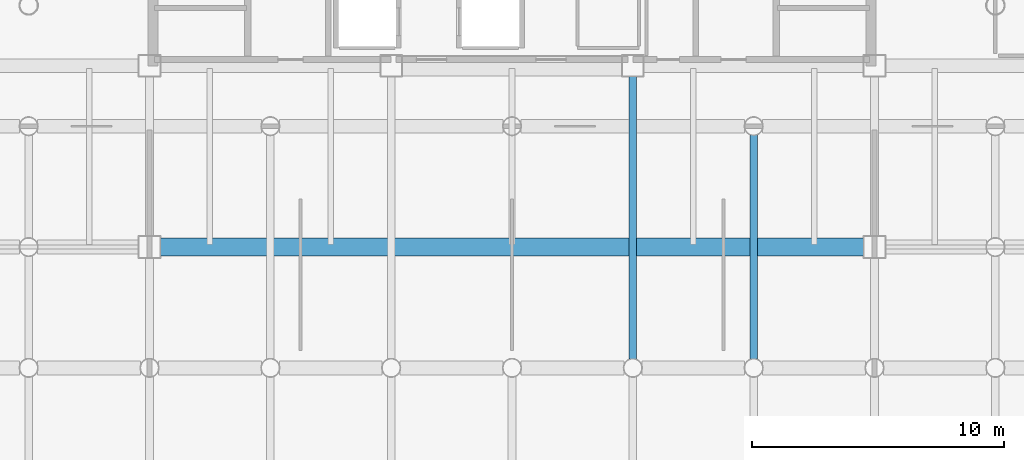
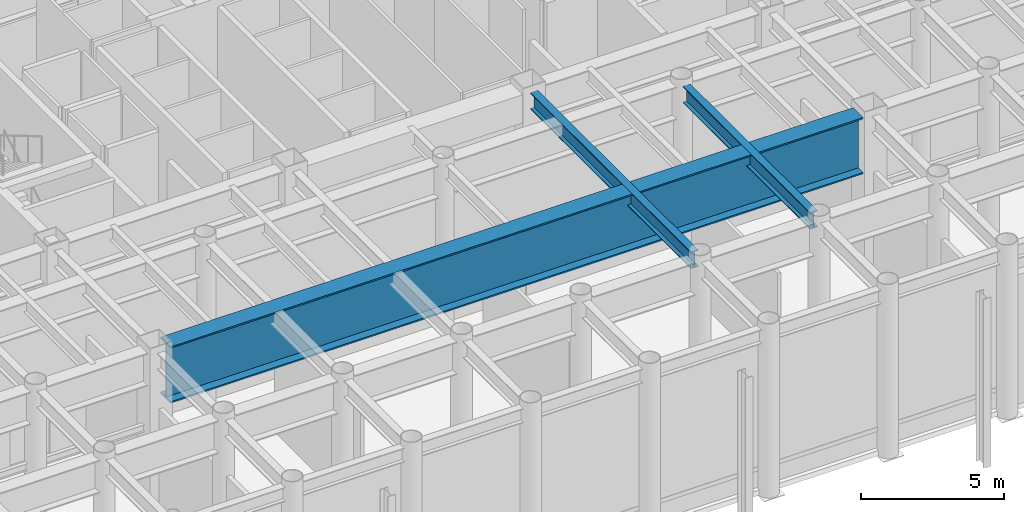
# One storey, part 7 of 23: 3 beams.
"""IFC4 building model written with IfcOpenShell, lengths in metres."""

from ifc_helpers import new_model, si_unit, direction, frame, origin, origin_2d, place, context, subcontext, project, spatial, i_section, extrude, material, material_profile, profile_set, type_object, element, save


model = new_model("IFC4")

# Units and contexts
model_context = context("Model", 3, precision=1e-05, world=origin(), true_north=direction((0.0, 1.0)))
body_context = subcontext(model_context, "Body", "Model", "MODEL_VIEW")
ifc_project = project(units=[si_unit("LENGTHUNIT", "METRE"), si_unit("AREAUNIT", "SQUARE_METRE"), si_unit("VOLUMEUNIT", "CUBIC_METRE"), si_unit("PLANEANGLEUNIT", "RADIAN"), si_unit("MASSUNIT", "GRAM", prefix="KILO")], contexts=[model_context])

# Site, building, storey
site_placement = place(None, origin())
site = spatial("IfcSite", under=ifc_project, at=site_placement, CompositionType="ELEMENT")
building_placement = place(site_placement, origin())
building = spatial("IfcBuilding", under=site, at=building_placement, Name="Kallvorn Hotel Tower", CompositionType="ELEMENT")
storey_placement = place(building_placement, frame((0.0, 0.0, 12.0)))
storey = spatial("IfcBuildingStorey", under=building, at=storey_placement, Name="L02", CompositionType="ELEMENT", Elevation=12.0)

# Beams
ifc_material_1 = material(Name="Structural steel S355JR", Category="steel")
ifc_material_profile_1 = material_profile(ifc_material_1, i_section(OverallWidth=0.300048828125, OverallDepth=0.699951171875, WebThickness=0.01708984375, FlangeThickness=0.031982421875, at=origin_2d()), Name="HE 700 B")
ifc_profile_set_1 = profile_set([ifc_material_profile_1], Name="Structural steel S355JR")
beam_type_1 = type_object("IfcBeamType", Name="BM_HE700B", PredefinedType="BEAM", material=ifc_profile_set_1)
beam_1_placement = place(storey_placement, frame((4.800048828125, -18.843994140625, 6.570068359375), z_axis=(0.0, 1.0, 0.0), x_axis=(-1.0, 0.0, 0.0)))
element("IfcBeam", 1, at=beam_1_placement, inside=storey, type_object=beam_type_1, Name="L03 Primary Y-Girder 126", PredefinedType="BEAM", context=body_context, shape_type="SweptSolid", body=[
    extrude(i_section(OverallWidth=0.300048828125, OverallDepth=0.699951171875, WebThickness=0.01708984375, FlangeThickness=0.031982421875, at=origin_2d()), origin(), (0.0, 0.0, 1.0), 11.218994140625),
])
beam_2_placement = place(storey_placement, frame((9.60009765625, -18.843994140625, 6.570068359375), z_axis=(0.0, 1.0, 0.0), x_axis=(-1.0, 0.0, 0.0)))
element("IfcBeam", 2, at=beam_2_placement, inside=storey, type_object=beam_type_1, Name="L03 Primary Y-Girder 131", PredefinedType="BEAM", context=body_context, shape_type="SweptSolid", body=[
    extrude(i_section(OverallWidth=0.300048828125, OverallDepth=0.699951171875, WebThickness=0.01708984375, FlangeThickness=0.031982421875, at=origin_2d()), origin(), (0.0, 0.0, 1.0), 8.887939453125),
])
ifc_material_2 = material(Name="Structural steel S355JR", Category="steel")
ifc_material_profile_2 = material_profile(ifc_material_2, i_section(OverallWidth=0.699951171875, OverallDepth=2.39990234375, WebThickness=0.031982421875, FlangeThickness=0.06005859375, at=origin_2d()), Name="PG 2400x700x32x60")
ifc_profile_set_2 = profile_set([ifc_material_profile_2], Name="Structural steel S355JR")
beam_type_2 = type_object("IfcBeamType", Name="BM_PG_2400", PredefinedType="BEAM", material=ifc_profile_set_2)
beam_3_placement = place(storey_placement, frame((-13.9599609375, -14.39990234375, 5.719970703125), z_axis=(1.0, 0.0, 0.0), x_axis=(0.0, 1.0, 0.0)))
element("IfcBeam", 3, at=beam_3_placement, inside=storey, type_object=beam_type_2, Name="L03 Grand Ballroom 28.8m Clear-Span Transfer Girder", PredefinedType="BEAM", context=body_context, shape_type="SweptSolid", body=[
    extrude(i_section(OverallWidth=0.699951171875, OverallDepth=2.39990234375, WebThickness=0.031982421875, FlangeThickness=0.06005859375, at=origin_2d()), origin(), (0.0, 0.0, 1.0), 27.919921875),
])

save(model, "model.ifc")
